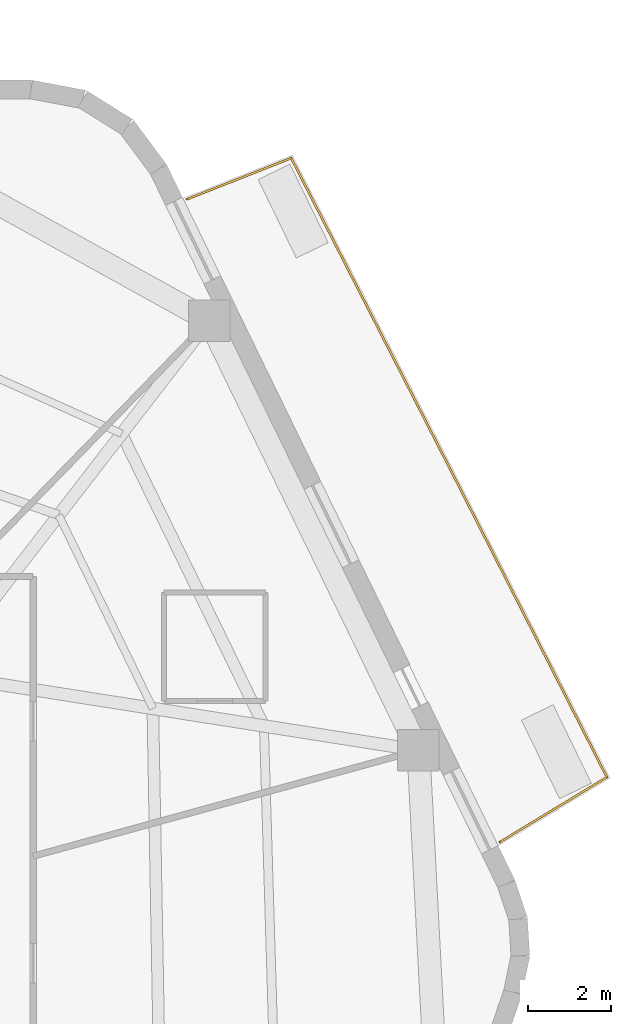
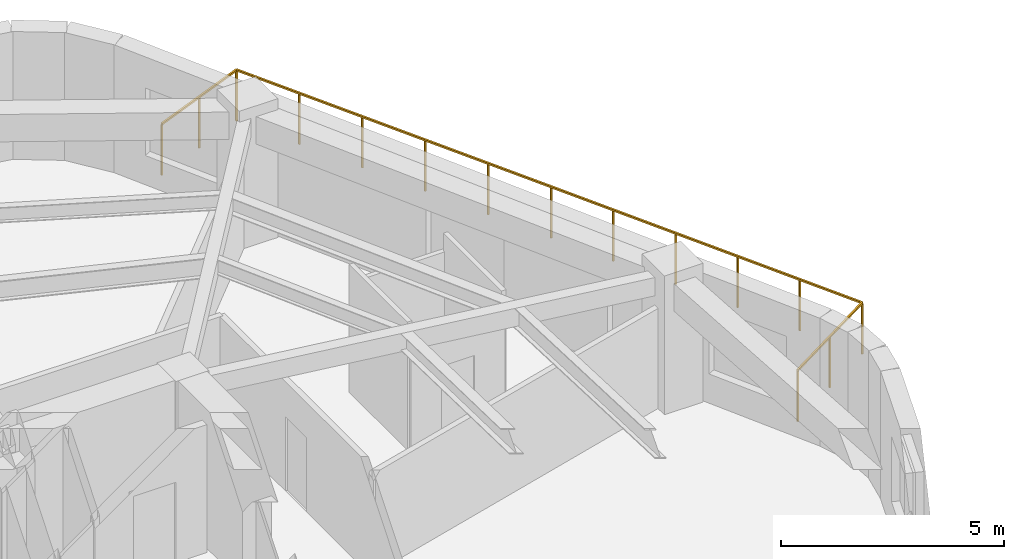
# One storey, part 10 of 10: 1 railing.
"""IFC4 building model written with IfcOpenShell, lengths in metres."""

from ifc_helpers import new_model, si_unit, direction, frame, origin, origin_2d, place, context, subcontext, project, spatial, rectangle, extrude, material, layer, layer_set, type_object, element, save


model = new_model("IFC4")

# Units and contexts
model_context = context("Model", 3, precision=1e-05, world=origin(), true_north=direction((0.0, 1.0)))
body_context = subcontext(model_context, "Body", "Model", "MODEL_VIEW")
ifc_project = project(units=[si_unit("LENGTHUNIT", "METRE"), si_unit("AREAUNIT", "SQUARE_METRE"), si_unit("VOLUMEUNIT", "CUBIC_METRE"), si_unit("PLANEANGLEUNIT", "RADIAN"), si_unit("MASSUNIT", "GRAM", prefix="KILO")], contexts=[model_context])

# Site, building, storey
site_placement = place(None, origin())
site = spatial("IfcSite", under=ifc_project, at=site_placement, CompositionType="ELEMENT")
building_placement = place(site_placement, origin())
building = spatial("IfcBuilding", under=site, at=building_placement, Name="Kilnhurst Terrace Hotel", CompositionType="ELEMENT")
storey_placement = place(building_placement, frame((0.0, 0.0, 217.89990234375)))
storey = spatial("IfcBuildingStorey", under=building, at=storey_placement, Name="L54", CompositionType="ELEMENT", Elevation=217.89990234375)

# Railing
ifc_material = material(Name="Laminated SentryGlas and Stainless Steel AISI 316L Balustrade", Category="steel")
ifc_layer = layer(ifc_material, 0.070068359375, Name="Laminated SentryGlas and Stainless Steel AISI 316L Balustrade")
ifc_layer_set = layer_set([ifc_layer], Name="Laminated SentryGlas and Stainless Steel AISI 316L Balustrade")
railing_type = type_object("IfcRailingType", Name="RLG-BAL-1420", PredefinedType="BALUSTRADE", material=ifc_layer_set)
railing_placement = place(storey_placement, frame((15.0546875, 18.933349609375, 0.0)))
element("IfcRailing", 1, at=railing_placement, inside=storey, type_object=railing_type, Name="L54 Exterior Terrace Guardrail BAL-L1A.1", PredefinedType="BALUSTRADE", context=body_context, shape_type="SweptSolid", body=[
    extrude(rectangle(XDim=0.048095703125, YDim=0.048095703125, at=origin_2d()), frame((0.0, 0.0, 1.39599609375), z_axis=(0.929913162101, 0.367779160574, 0.0), x_axis=(-0.367779160574, 0.929913162101, 0.0)), (0.0, 0.0, 1.0), 2.694580078125),
    extrude(rectangle(XDim=0.048095703125, YDim=0.048095703125, at=origin_2d()), frame((2.505615234375, 0.990966796875, 1.39599609375), z_axis=(0.455129479154, -0.890425267614, 0.0), x_axis=(0.890425267614, 0.455129479154, 0.0)), (0.0, 0.0, 1.0), 8.4072265625),
    extrude(rectangle(XDim=0.048095703125, YDim=0.048095703125, at=origin_2d()), frame((6.33203125, -6.4951171875, 1.39599609375), z_axis=(0.45338853952, -0.891312982196, 0.0), x_axis=(0.891312982196, 0.45338853952, 0.0)), (0.0, 0.0, 1.0), 8.320068359375),
    extrude(rectangle(XDim=0.048095703125, YDim=0.048095703125, at=origin_2d()), frame((10.104248046875, -13.910888671875, 1.39599609375), z_axis=(-0.854990626614, -0.518643450168, 0.0), x_axis=(0.518643450168, -0.854990626614, 0.0)), (0.0, 0.0, 1.0), 3.008056640625),
    extrude(rectangle(XDim=0.0419921875, YDim=0.0419921875, at=origin_2d()), origin(), (0.0, 0.0, 1.0), 1.371826171875),
    extrude(rectangle(XDim=0.0419921875, YDim=0.0419921875, at=origin_2d()), frame((1.2529296875, 0.49560546875, 0.0)), (0.0, 0.0, 1.0), 1.371826171875),
    extrude(rectangle(XDim=0.0419921875, YDim=0.0419921875, at=origin_2d()), frame((2.505615234375, 0.990966796875, 0.0)), (0.0, 0.0, 1.0), 1.371826171875),
    extrude(rectangle(XDim=0.0419921875, YDim=0.0419921875, at=origin_2d()), frame((3.27099609375, -0.50634765625, 0.0)), (0.0, 0.0, 1.0), 1.371826171875),
    extrude(rectangle(XDim=0.0419921875, YDim=0.0419921875, at=origin_2d()), frame((4.0361328125, -2.00341796875, 0.0)), (0.0, 0.0, 1.0), 1.371826171875),
    extrude(rectangle(XDim=0.0419921875, YDim=0.0419921875, at=origin_2d()), frame((4.801513671875, -3.500732421875, 0.0)), (0.0, 0.0, 1.0), 1.371826171875),
    extrude(rectangle(XDim=0.0419921875, YDim=0.0419921875, at=origin_2d()), frame((5.566650390625, -4.997802734375, 0.0)), (0.0, 0.0, 1.0), 1.371826171875),
    extrude(rectangle(XDim=0.0419921875, YDim=0.0419921875, at=origin_2d()), frame((6.33203125, -6.4951171875, 0.0)), (0.0, 0.0, 1.0), 1.371826171875),
    extrude(rectangle(XDim=0.0419921875, YDim=0.0419921875, at=origin_2d()), frame((7.08642578125, -7.978271484375, 0.0)), (0.0, 0.0, 1.0), 1.371826171875),
    extrude(rectangle(XDim=0.0419921875, YDim=0.0419921875, at=origin_2d()), frame((7.8408203125, -9.46142578125, 0.0)), (0.0, 0.0, 1.0), 1.371826171875),
    extrude(rectangle(XDim=0.0419921875, YDim=0.0419921875, at=origin_2d()), frame((8.595458984375, -10.944580078125, 0.0)), (0.0, 0.0, 1.0), 1.371826171875),
    extrude(rectangle(XDim=0.0419921875, YDim=0.0419921875, at=origin_2d()), frame((9.349853515625, -12.427734375, 0.0)), (0.0, 0.0, 1.0), 1.371826171875),
    extrude(rectangle(XDim=0.0419921875, YDim=0.0419921875, at=origin_2d()), frame((10.104248046875, -13.910888671875, 0.0)), (0.0, 0.0, 1.0), 1.371826171875),
    extrude(rectangle(XDim=0.0419921875, YDim=0.0419921875, at=origin_2d()), frame((8.818359375, -14.69091796875, 0.0)), (0.0, 0.0, 1.0), 1.371826171875),
    extrude(rectangle(XDim=0.0419921875, YDim=0.0419921875, at=origin_2d()), frame((7.532470703125, -15.470947265625, 0.0)), (0.0, 0.0, 1.0), 1.371826171875),
])

save(model, "model.ifc")
